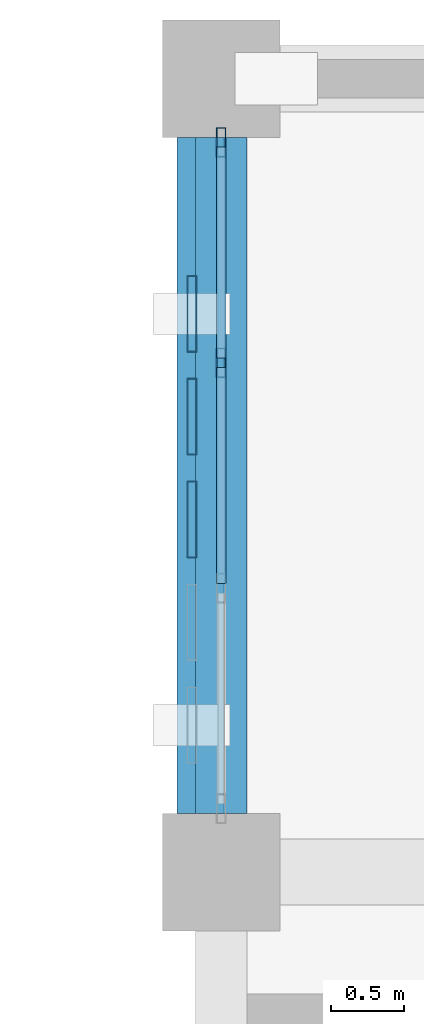
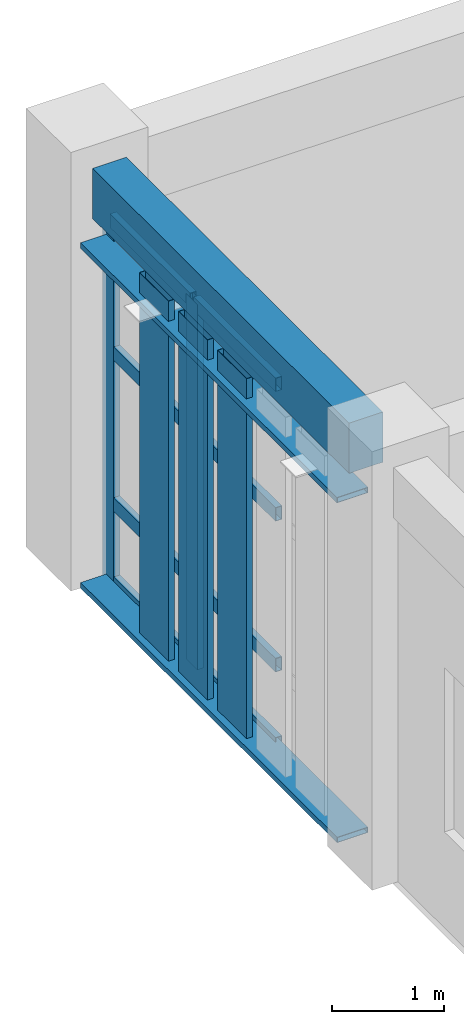
# One storey, part 42 of 76: 15 members, 1 beam, 1 element without a shape of its own.
"""IFC4 building model written with IfcOpenShell, lengths in metres."""

from ifc_helpers import new_model, si_unit, direction, frame, origin, origin_2d, place, context, subcontext, project, spatial, rectangle, hollow_rectangle, extrude, material, layer, layer_set, material_profile, profile_set, type_object, element, aggregate, save


model = new_model("IFC4")

# Units and contexts
model_context = context("Model", 3, precision=1e-05, world=origin(), true_north=direction((0.0, 1.0)))
body_context = subcontext(model_context, "Body", "Model", "MODEL_VIEW")
ifc_project = project(units=[si_unit("LENGTHUNIT", "METRE"), si_unit("AREAUNIT", "SQUARE_METRE"), si_unit("VOLUMEUNIT", "CUBIC_METRE"), si_unit("PLANEANGLEUNIT", "RADIAN"), si_unit("MASSUNIT", "GRAM", prefix="KILO")], contexts=[model_context])

# Site, building, storey
site_placement = place(None, origin())
site = spatial("IfcSite", under=ifc_project, at=site_placement, CompositionType="ELEMENT")
building_placement = place(site_placement, origin())
building = spatial("IfcBuilding", under=site, at=building_placement, Name="Krzemoval Escarpment Law Courts", CompositionType="ELEMENT")
storey_placement = place(building_placement, frame((0.0, 0.0, 20.39990234375)))
storey = spatial("IfcBuildingStorey", under=building, at=storey_placement, Name="L04", CompositionType="ELEMENT", Elevation=20.39990234375)

# Beam
ifc_material_1 = material(Name="Concrete C40/50", Category="concrete")
ifc_material_profile_1 = material_profile(ifc_material_1, rectangle(XDim=0.35009765625, YDim=0.550048828125, at=origin_2d()), Name="RCB 350x550")
ifc_profile_set_1 = profile_set([ifc_material_profile_1], Name="Concrete C40/50")
beam_type = type_object("IfcBeamType", Name="BM-RC-350x550", PredefinedType="BEAM", material=ifc_profile_set_1)
beam_placement = place(storey_placement, frame((126.0, 113.800048828125, 4.275146484375), z_axis=(0.0, 1.0, 0.0), x_axis=(-1.0, 0.0, 0.0)))
element("IfcBeam", 1, at=beam_placement, inside=storey, type_object=beam_type, Name="Beam FG-L04-2511", PredefinedType="BEAM", context=body_context, shape_type="SweptSolid", body=[
    extrude(rectangle(XDim=0.35009765625, YDim=0.550048828125, at=origin_2d()), origin(), (0.0, 0.0, 1.0), 4.599853515625),
])

# Curtain wall, members
ifc_material_2 = material(Name="Aluminium 6063-T6", Category="aluminium")
ifc_layer = layer(ifc_material_2, 0.219970703125)
ifc_layer_set = layer_set([ifc_layer], Name="Aluminium 6063-T6")
curtain_wall_type = type_object("IfcCurtainWallType", Name="CW-CHMB-4200", PredefinedType="USERDEFINED", material=ifc_layer_set)
curtain_wall_placement = place(storey_placement, origin())
curtain_wall = element("IfcCurtainWall", 2, at=curtain_wall_placement, inside=storey, type_object=curtain_wall_type, Name="Unitised Curtain Wall FCW-L04-125", ObjectType="UNITISED_CURTAIN_WALL", PredefinedType="USERDEFINED")
ifc_material_3 = material(Name="Aluminium 6063-T6", Category="aluminium")
ifc_material_profile_2 = material_profile(ifc_material_3, hollow_rectangle(XDim=0.06494140625, YDim=0.199951171875, WallThickness=0.00439453125, at=origin_2d()), Name="ALU M65x200")
ifc_profile_set_2 = profile_set([ifc_material_profile_2], Name="Aluminium 6063-T6")
member_type_1 = type_object("IfcMemberType", Name="CWM-65x200", PredefinedType="MULLION", material=ifc_profile_set_2)
member_1_placement = place(storey_placement, frame((126.0, 116.86669921875, 0.0), z_axis=(0.0, 0.0, 1.0), x_axis=(-1.0, 0.0, 0.0)))
member_1 = element("IfcMember", 3, at=member_1_placement, type_object=member_type_1, Name="FCW-L04-125 mullion 3", PredefinedType="MULLION", context=body_context, shape_type="SweptSolid", body=[
    extrude(hollow_rectangle(XDim=0.06494140625, YDim=0.199951171875, WallThickness=0.00439453125, at=origin_2d()), origin(), (0.0, 0.0, 1.0), 4.0),
])
member_2_placement = place(storey_placement, frame((126.0, 118.367431640625, 0.0), z_axis=(0.0, 0.0, 1.0), x_axis=(-1.0, 0.0, 0.0)))
member_2 = element("IfcMember", 4, at=member_2_placement, type_object=member_type_1, Name="FCW-L04-125 mullion 4", PredefinedType="MULLION", context=body_context, shape_type="SweptSolid", body=[
    extrude(hollow_rectangle(XDim=0.06494140625, YDim=0.199951171875, WallThickness=0.00439453125, at=origin_2d()), origin(), (0.0, 0.0, 1.0), 4.0),
])
ifc_material_4 = material(Name="Aluminium 6063-T6", Category="aluminium")
ifc_material_profile_3 = material_profile(ifc_material_4, hollow_rectangle(XDim=0.06494140625, YDim=0.14990234375, WallThickness=0.00439453125, at=origin_2d()), Name="ALU T65x150")
ifc_profile_set_3 = profile_set([ifc_material_profile_3], Name="Aluminium 6063-T6")
member_type_2 = type_object("IfcMemberType", Name="CWT-65x150", PredefinedType="USERDEFINED", material=ifc_profile_set_3)
member_3_placement = place(storey_placement, frame((126.0, 115.36572265625, 0.03271484375), z_axis=(0.0, 1.0, 0.0), x_axis=(-1.0, 0.0, 0.0)))
member_3 = element("IfcMember", 5, at=member_3_placement, type_object=member_type_2, Name="FCW-L04-125 transom 2.1", ObjectType="TRANSOM", PredefinedType="USERDEFINED", context=body_context, shape_type="SweptSolid", body=[
    extrude(hollow_rectangle(XDim=0.06494140625, YDim=0.14990234375, WallThickness=0.00439453125, at=origin_2d()), origin(), (0.0, 0.0, 1.0), 1.468505859375),
])
member_4_placement = place(storey_placement, frame((126.0, 115.36572265625, 0.900146484375), z_axis=(0.0, 1.0, 0.0), x_axis=(-1.0, 0.0, 0.0)))
member_4 = element("IfcMember", 6, at=member_4_placement, type_object=member_type_2, Name="FCW-L04-125 transom 2.2", ObjectType="TRANSOM", PredefinedType="USERDEFINED", context=body_context, shape_type="SweptSolid", body=[
    extrude(hollow_rectangle(XDim=0.06494140625, YDim=0.14990234375, WallThickness=0.00439453125, at=origin_2d()), origin(), (0.0, 0.0, 1.0), 1.468505859375),
])
member_5_placement = place(storey_placement, frame((126.0, 115.36572265625, 2.550048828125), z_axis=(0.0, 1.0, 0.0), x_axis=(-1.0, 0.0, 0.0)))
member_5 = element("IfcMember", 7, at=member_5_placement, type_object=member_type_2, Name="FCW-L04-125 transom 2.3", ObjectType="TRANSOM", PredefinedType="USERDEFINED", context=body_context, shape_type="SweptSolid", body=[
    extrude(hollow_rectangle(XDim=0.06494140625, YDim=0.14990234375, WallThickness=0.00439453125, at=origin_2d()), origin(), (0.0, 0.0, 1.0), 1.468505859375),
])
member_6_placement = place(storey_placement, frame((126.0, 115.36572265625, 3.967529296875), z_axis=(0.0, 1.0, 0.0), x_axis=(-1.0, 0.0, 0.0)))
member_6 = element("IfcMember", 8, at=member_6_placement, type_object=member_type_2, Name="FCW-L04-125 transom 2.4", ObjectType="TRANSOM", PredefinedType="USERDEFINED", context=body_context, shape_type="SweptSolid", body=[
    extrude(hollow_rectangle(XDim=0.06494140625, YDim=0.14990234375, WallThickness=0.00439453125, at=origin_2d()), origin(), (0.0, 0.0, 1.0), 1.468505859375),
])
member_7_placement = place(storey_placement, frame((126.0, 116.899169921875, 0.03271484375), z_axis=(0.0, 1.0, 0.0), x_axis=(-1.0, 0.0, 0.0)))
member_7 = element("IfcMember", 9, at=member_7_placement, type_object=member_type_2, Name="FCW-L04-125 transom 3.1", ObjectType="TRANSOM", PredefinedType="USERDEFINED", context=body_context, shape_type="SweptSolid", body=[
    extrude(hollow_rectangle(XDim=0.06494140625, YDim=0.14990234375, WallThickness=0.00439453125, at=origin_2d()), origin(), (0.0, 0.0, 1.0), 1.435791015625),
])
member_8_placement = place(storey_placement, frame((126.0, 116.899169921875, 0.900146484375), z_axis=(0.0, 1.0, 0.0), x_axis=(-1.0, 0.0, 0.0)))
member_8 = element("IfcMember", 10, at=member_8_placement, type_object=member_type_2, Name="FCW-L04-125 transom 3.2", ObjectType="TRANSOM", PredefinedType="USERDEFINED", context=body_context, shape_type="SweptSolid", body=[
    extrude(hollow_rectangle(XDim=0.06494140625, YDim=0.14990234375, WallThickness=0.00439453125, at=origin_2d()), origin(), (0.0, 0.0, 1.0), 1.435791015625),
])
member_9_placement = place(storey_placement, frame((126.0, 116.899169921875, 2.550048828125), z_axis=(0.0, 1.0, 0.0), x_axis=(-1.0, 0.0, 0.0)))
member_9 = element("IfcMember", 11, at=member_9_placement, type_object=member_type_2, Name="FCW-L04-125 transom 3.3", ObjectType="TRANSOM", PredefinedType="USERDEFINED", context=body_context, shape_type="SweptSolid", body=[
    extrude(hollow_rectangle(XDim=0.06494140625, YDim=0.14990234375, WallThickness=0.00439453125, at=origin_2d()), origin(), (0.0, 0.0, 1.0), 1.435791015625),
])
member_10_placement = place(storey_placement, frame((126.0, 116.899169921875, 3.967529296875), z_axis=(0.0, 1.0, 0.0), x_axis=(-1.0, 0.0, 0.0)))
member_10 = element("IfcMember", 12, at=member_10_placement, type_object=member_type_2, Name="FCW-L04-125 transom 3.4", ObjectType="TRANSOM", PredefinedType="USERDEFINED", context=body_context, shape_type="SweptSolid", body=[
    extrude(hollow_rectangle(XDim=0.06494140625, YDim=0.14990234375, WallThickness=0.00439453125, at=origin_2d()), origin(), (0.0, 0.0, 1.0), 1.435791015625),
])
aggregate(curtain_wall, [member_1, member_2, member_3, member_4, member_5, member_6, member_7, member_8, member_9, member_10])

# Members
ifc_material_5 = material(Name="Anodised Aluminium Alloy 6063-T6", Category="aluminium")
ifc_material_profile_4 = material_profile(ifc_material_5, hollow_rectangle(XDim=0.06005859375, YDim=0.320068359375, WallThickness=0.00390625, at=origin_2d()), Name="ALU LVR 60x320")
ifc_profile_set_4 = profile_set([ifc_material_profile_4], Name="Anodised Aluminium Alloy 6063-T6")
member_type_3 = type_object("IfcMemberType", Name="LVR-ALU-320", PredefinedType="USERDEFINED", material=ifc_profile_set_4)
for number, where, z_axis, x_axis, name in (
    (13, (125.860107421875, 113.800048828125, 0.030029296875), (0.0, 1.0, 0.0), (0.0, 0.0, 1.0), "Sunshade Support Rail FSR-L04-0859"),
    (14, (125.860107421875, 113.800048828125, 3.75), (0.0, 1.0, 0.0), (0.0, 0.0, 1.0), "Sunshade Support Rail FSR-L04-0860"),
):
    element("IfcMember", number, at=place(storey_placement, frame(where, z_axis=z_axis, x_axis=x_axis)), inside=storey, type_object=member_type_3, Name=name, ObjectType="SUNSHADE_LOUVRE", PredefinedType="USERDEFINED", context=body_context, shape_type="SweptSolid", body=[
        extrude(hollow_rectangle(XDim=0.06005859375, YDim=0.320068359375, WallThickness=0.00390625, at=origin_2d()), origin(), (0.0, 0.0, 1.0), 4.599853515625),
    ])
ifc_material_6 = material(Name="Anodised Aluminium Alloy 6063-T6", Category="aluminium")
ifc_material_profile_5 = material_profile(ifc_material_6, hollow_rectangle(XDim=0.06494140625, YDim=0.52001953125, WallThickness=0.00439453125, at=origin_2d()), Name="ALU LVR 65x520")
ifc_profile_set_5 = profile_set([ifc_material_profile_5], Name="Anodised Aluminium Alloy 6063-T6")
member_type_4 = type_object("IfcMemberType", Name="LVR-ALU-520", PredefinedType="USERDEFINED", material=ifc_profile_set_5)
for number, where, z_axis, x_axis, name in (
    (15, (125.800048828125, 115.800048828125, 0.06005859375), (0.0, 0.0, 1.0), (1.0, 0.0, 0.0), "Sunshade Louvre Fin FLV-L04-0863"),
    (16, (125.800048828125, 116.5, 0.06005859375), (0.0, 0.0, 1.0), (1.0, 0.0, 0.0), "Sunshade Louvre Fin FLV-L04-0864"),
    (17, (125.800048828125, 117.199951171875, 0.06005859375), (0.0, 0.0, 1.0), (1.0, 0.0, 0.0), "Sunshade Louvre Fin FLV-L04-0865"),
):
    element("IfcMember", number, at=place(storey_placement, frame(where, z_axis=z_axis, x_axis=x_axis)), inside=storey, type_object=member_type_4, Name=name, ObjectType="SUNSHADE_LOUVRE", PredefinedType="USERDEFINED", context=body_context, shape_type="SweptSolid", body=[
        extrude(hollow_rectangle(XDim=0.06494140625, YDim=0.52001953125, WallThickness=0.00439453125, at=origin_2d()), origin(), (0.0, 0.0, 1.0), 3.93994140625),
    ])

save(model, "model.ifc")
